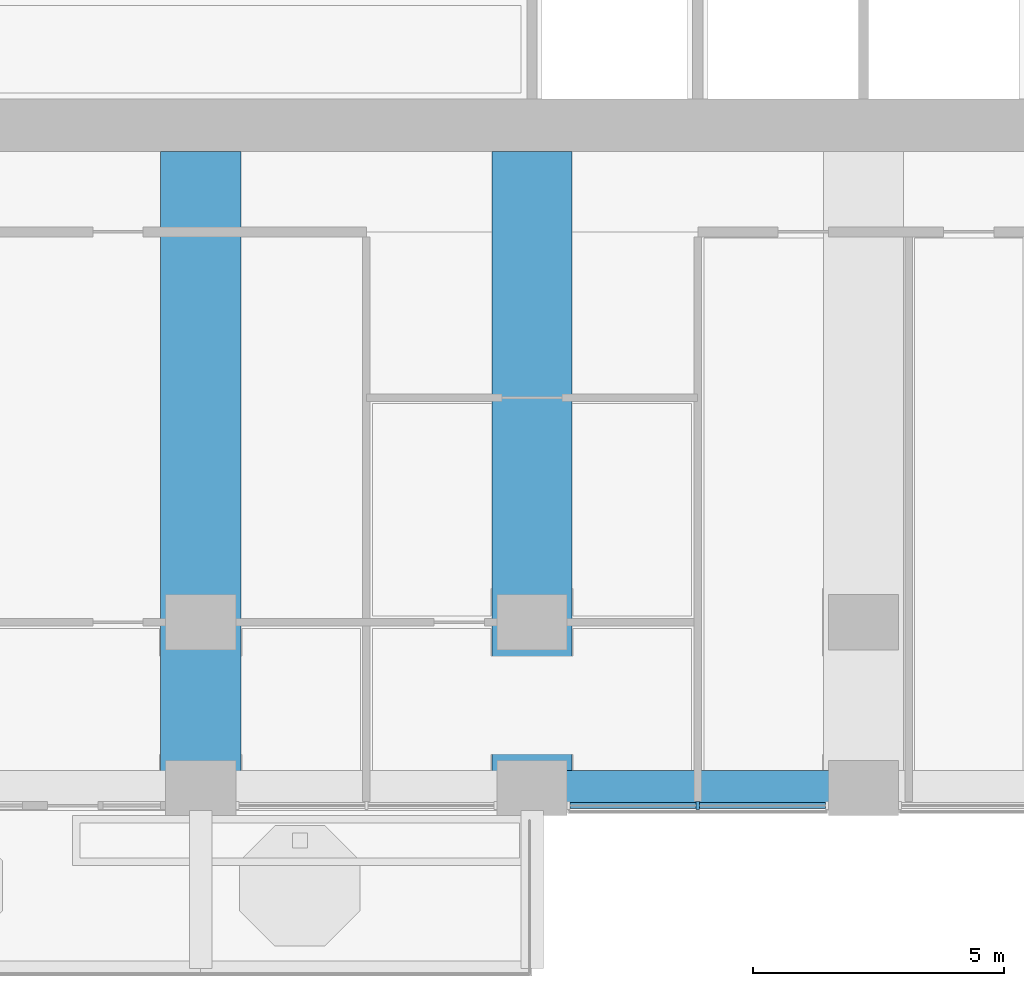
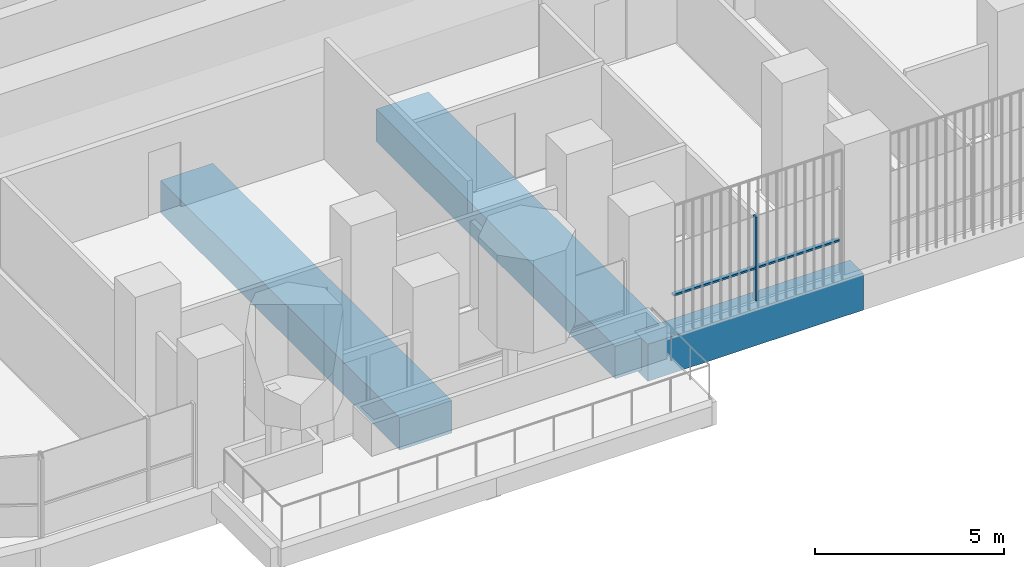
# One storey, part 3 of 21: 3 beams, 3 members, 1 element without a shape of its own.
"""IFC4 building model written with IfcOpenShell, lengths in metres."""

from ifc_helpers import new_model, si_unit, direction, frame, origin, origin_2d, place, context, subcontext, project, spatial, rectangle, extrude, material, material_profile, profile_set, type_object, element, aggregate, save


model = new_model("IFC4")

# Units and contexts
model_context = context("Model", 3, precision=1e-05, world=origin(), true_north=direction((0.0, 1.0)))
body_context = subcontext(model_context, "Body", "Model", "MODEL_VIEW")
ifc_project = project(units=[si_unit("LENGTHUNIT", "METRE"), si_unit("AREAUNIT", "SQUARE_METRE"), si_unit("VOLUMEUNIT", "CUBIC_METRE"), si_unit("PLANEANGLEUNIT", "RADIAN"), si_unit("MASSUNIT", "GRAM", prefix="KILO")], contexts=[model_context])

# Site, building, storey
site_placement = place(None, origin())
site = spatial("IfcSite", under=ifc_project, at=site_placement, CompositionType="ELEMENT")
building_placement = place(site_placement, origin())
building = spatial("IfcBuilding", under=site, at=building_placement, Name="Cobogo Forest Laboratory Tower", CompositionType="ELEMENT")
storey_placement = place(building_placement, frame((0.0, 0.0, 132.60009765625)))
storey = spatial("IfcBuildingStorey", under=building, at=storey_placement, Name="L30", CompositionType="ELEMENT", Elevation=132.60009765625)

# Beams
ifc_material_1 = material(Name="Concrete HA-50 (C50/60)", Category="concrete")
ifc_material_profile_1 = material_profile(ifc_material_1, rectangle(XDim=1.60009765625, YDim=1.050048828125, at=origin_2d()), Name="RC 1600x1050")
ifc_profile_set_1 = profile_set([ifc_material_profile_1], Name="Concrete HA-50 (C50/60)")
beam_type_1 = type_object("IfcBeamType", Name="Laboratory floor wide beam 1600x1050", PredefinedType="BEAM", material=ifc_profile_set_1)
for number, where, z_axis, x_axis, name in (
    (1, (19.800048828125, 12.675048828125, -0.8251953125), (0.0, -1.0, 0.0), (1.0, 0.0, 0.0), "RB8 R-4-S L30"),
    (2, (26.39990234375, 12.675048828125, -0.8251953125), (0.0, -1.0, 0.0), (1.0, 0.0, 0.0), "RB8 R-5-S L30"),
):
    element("IfcBeam", number, at=place(storey_placement, frame(where, z_axis=z_axis, x_axis=x_axis)), inside=storey, type_object=beam_type_1, Name=name, PredefinedType="BEAM", context=body_context, shape_type="SweptSolid", body=[
        extrude(rectangle(XDim=1.60009765625, YDim=1.050048828125, at=origin_2d()), origin(), (0.0, 0.0, 1.0), 12.675048828125),
    ])

# Curtain wall, member
ifc_material_2 = material(Name="Aluminium curtain wall", Category="aluminium")
curtain_wall_type = type_object("IfcCurtainWallType", Name="CW-1 unitised curtain wall, clear glazing, laboratory floors zones A and B", PredefinedType="USERDEFINED", material=ifc_material_2)
curtain_wall_placement = place(storey_placement, origin())
curtain_wall = element("IfcCurtainWall", 3, at=curtain_wall_placement, inside=storey, type_object=curtain_wall_type, Name="Curtain wall 04 L30", ObjectType="UNITISED CURTAIN WALL", PredefinedType="USERDEFINED")
ifc_material_3 = material(Name="Aluminium mullion", Category="aluminium")
ifc_material_profile_2 = material_profile(ifc_material_3, rectangle(XDim=0.06005859375, YDim=0.159912109375, at=origin_2d()), Name="AL 60x160")
ifc_profile_set_2 = profile_set([ifc_material_profile_2], Name="Aluminium mullion")
member_type_1 = type_object("IfcMemberType", Name="MU-1 aluminium mullion 60x160", PredefinedType="MULLION", material=ifc_profile_set_2)
member_1_placement = place(storey_placement, frame((29.699951171875, -0.35009765625, 0.0), z_axis=(0.0, 0.0, 1.0), x_axis=(1.0, 0.0, 0.0)))
member_1 = element("IfcMember", 4, at=member_1_placement, type_object=member_type_1, Name="CW-1 mullion 2", PredefinedType="MULLION", context=body_context, shape_type="SweptSolid", body=[
    extrude(rectangle(XDim=0.06005859375, YDim=0.159912109375, at=origin_2d()), origin(), (0.0, 0.0, 1.0), 2.699951171875),
])

# Beam
ifc_material_4 = material(Name="Concrete HA-40 (C40/50)", Category="concrete")
ifc_material_profile_3 = material_profile(ifc_material_4, rectangle(XDim=0.699951171875, YDim=1.199951171875, at=origin_2d()), Name="RC 700x1200")
ifc_profile_set_3 = profile_set([ifc_material_profile_3], Name="Concrete HA-40 (C40/50)")
beam_type_2 = type_object("IfcBeamType", Name="Perimeter edge beam 700x1200", PredefinedType="BEAM", material=ifc_profile_set_3)
beam_placement = place(storey_placement, frame((26.39990234375, 0.0, -0.900146484375), z_axis=(1.0, 0.0, 0.0), x_axis=(0.0, 1.0, 0.0)))
element("IfcBeam", 5, at=beam_placement, inside=storey, type_object=beam_type_2, Name="EB1 E-S3 L30", PredefinedType="BEAM", context=body_context, shape_type="SweptSolid", body=[
    extrude(rectangle(XDim=0.699951171875, YDim=1.199951171875, at=origin_2d()), origin(), (0.0, 0.0, 1.0), 6.60009765625),
])

# Member
ifc_material_5 = material(Name="Aluminium transom", Category="aluminium")
ifc_material_profile_4 = material_profile(ifc_material_5, rectangle(XDim=0.1201171875, YDim=0.06005859375, at=origin_2d()), Name="AL 60x120")
ifc_profile_set_4 = profile_set([ifc_material_profile_4], Name="Aluminium transom")
member_type_2 = type_object("IfcMemberType", Name="TR-1 aluminium transom 60x120", PredefinedType="USERDEFINED", material=ifc_profile_set_4)
member_2_placement = place(storey_placement, frame((27.159912109375, -0.35009765625, 1.0498046875), z_axis=(1.0, 0.0, 0.0), x_axis=(0.0, 1.0, 0.0)))
member_2 = element("IfcMember", 6, at=member_2_placement, type_object=member_type_2, Name="CW-1 transom 1.1", ObjectType="TRANSOM", PredefinedType="USERDEFINED", context=body_context, shape_type="SweptSolid", body=[
    extrude(rectangle(XDim=0.1201171875, YDim=0.06005859375, at=origin_2d()), origin(), (0.0, 0.0, 1.0), 2.510009765625),
])

member_3_placement = place(storey_placement, frame((29.72998046875, -0.35009765625, 1.0498046875), z_axis=(1.0, 0.0, 0.0), x_axis=(0.0, 1.0, 0.0)))
member_3 = element("IfcMember", 7, at=member_3_placement, type_object=member_type_2, Name="CW-1 transom 2.1", ObjectType="TRANSOM", PredefinedType="USERDEFINED", context=body_context, shape_type="SweptSolid", body=[
    extrude(rectangle(XDim=0.1201171875, YDim=0.06005859375, at=origin_2d()), origin(), (0.0, 0.0, 1.0), 2.510009765625),
])

aggregate(curtain_wall, [member_1, member_2, member_3])

save(model, "model.ifc")
